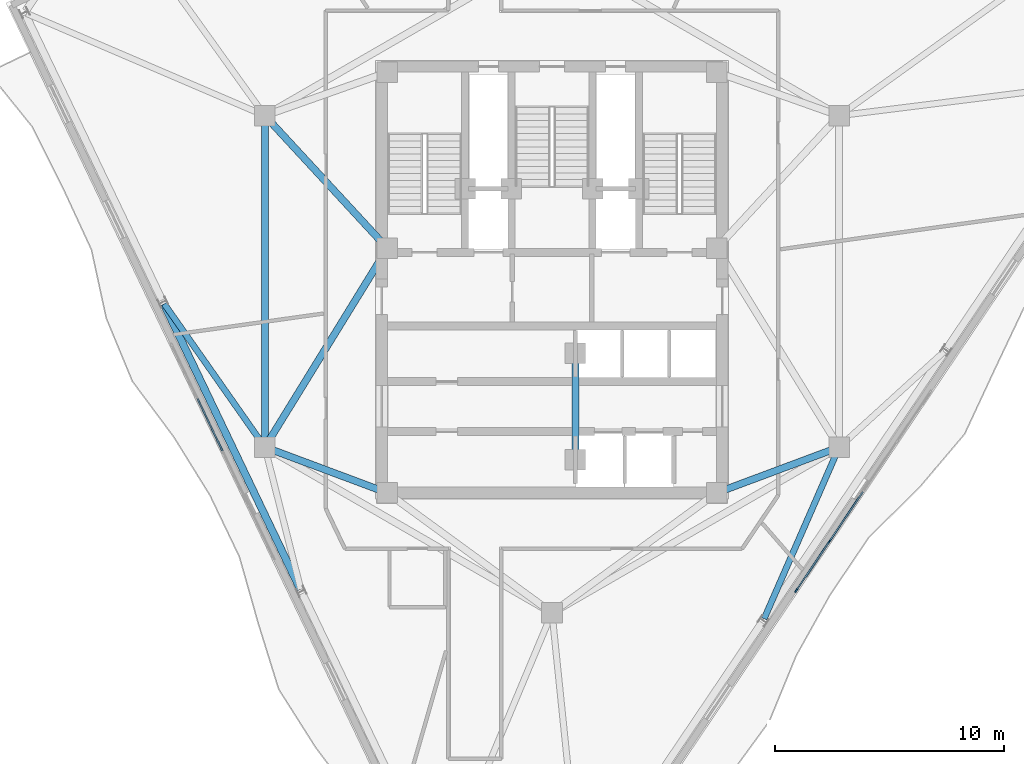
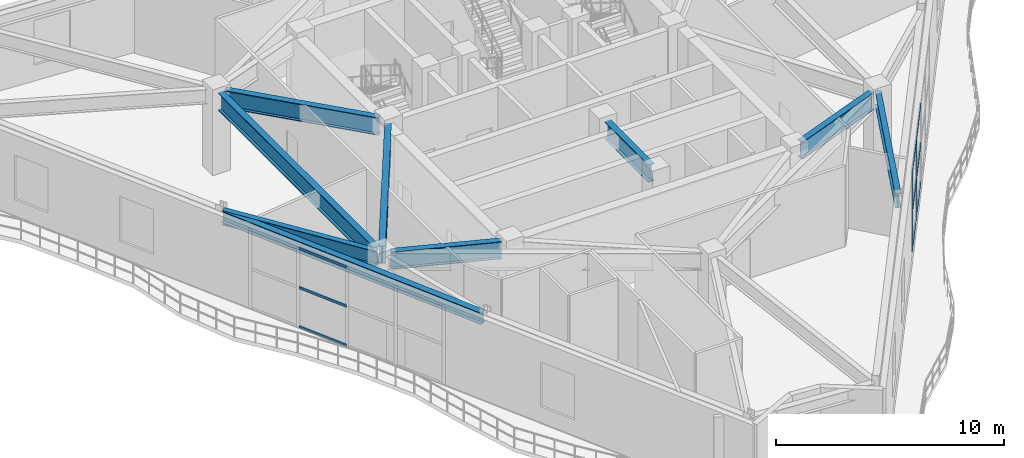
# One storey, part 5 of 15: 11 members, 9 beams, 2 elements without a shape of their own.
"""IFC4 building model written with IfcOpenShell, lengths in metres."""

from ifc_helpers import new_model, si_unit, direction, frame, origin, origin_2d, place, context, subcontext, project, spatial, rectangle, i_section, extrude, material, layer, layer_set, material_profile, profile_set, type_object, element, aggregate, save


model = new_model("IFC4")

# Units and contexts
model_context = context("Model", 3, precision=1e-05, world=origin(), true_north=direction((0.0, 1.0)))
body_context = subcontext(model_context, "Body", "Model", "MODEL_VIEW")
ifc_project = project(units=[si_unit("LENGTHUNIT", "METRE"), si_unit("AREAUNIT", "SQUARE_METRE"), si_unit("VOLUMEUNIT", "CUBIC_METRE"), si_unit("PLANEANGLEUNIT", "RADIAN"), si_unit("MASSUNIT", "GRAM", prefix="KILO")], contexts=[model_context])

# Site, building, storey
site_placement = place(None, origin())
site = spatial("IfcSite", under=ifc_project, at=site_placement, CompositionType="ELEMENT")
building_placement = place(site_placement, origin())
building = spatial("IfcBuilding", under=site, at=building_placement, Name="Apsidion Concourse Tower", CompositionType="ELEMENT")
storey_placement = place(building_placement, frame((0.0, 0.0, 318.800048828125)))
storey = spatial("IfcBuildingStorey", under=building, at=storey_placement, Name="L75", CompositionType="ELEMENT", Elevation=318.800048828125)

# Beams
ifc_material_1 = material(Name="Structural steel ASTM A992 Grade 50", Category="steel")
ifc_material_profile_1 = material_profile(ifc_material_1, i_section(OverallWidth=0.31005859375, OverallDepth=0.931884765625, WebThickness=0.02099609375, FlangeThickness=0.034423828125, at=origin_2d()), Name="W36X210")
ifc_profile_set_1 = profile_set([ifc_material_profile_1], Name="Structural steel ASTM A992 Grade 50")
beam_type_1 = type_object("IfcBeamType", Name="BM-G-W36", PredefinedType="USERDEFINED", material=ifc_profile_set_1)
beam_1_placement = place(storey_placement, frame((-12.185302734375, -7.389892578125, 3.85400390625), z_axis=(0.936913021145, -0.349562570664, 0.0), x_axis=(0.349562570664, 0.936913021145, 0.0)))
element("IfcBeam", 1, at=beam_1_placement, inside=storey, type_object=beam_type_1, Name="L75 Core Coupling Girder IC1-SC1", ObjectType="GIRDER", PredefinedType="USERDEFINED", context=body_context, shape_type="SweptSolid", body=[
    extrude(i_section(OverallWidth=0.31005859375, OverallDepth=0.931884765625, WebThickness=0.02099609375, FlangeThickness=0.034423828125, at=origin_2d()), origin(), (0.0, 0.0, 1.0), 4.921142578125),
])
beam_2_placement = place(storey_placement, frame((-12.35009765625, -6.909423828125, 3.85400390625), z_axis=(0.524524009763, 0.851395656074, 0.0), x_axis=(-0.851395656074, 0.524524009763, 0.0)))
element("IfcBeam", 2, at=beam_2_placement, inside=storey, type_object=beam_type_1, Name="L75 Core Coupling Girder IC1-SC6", ObjectType="GIRDER", PredefinedType="USERDEFINED", context=body_context, shape_type="SweptSolid", body=[
    extrude(i_section(OverallWidth=0.31005859375, OverallDepth=0.931884765625, WebThickness=0.02099609375, FlangeThickness=0.034423828125, at=origin_2d()), origin(), (0.0, 0.0, 1.0), 9.41845703125),
])
beam_3_placement = place(storey_placement, frame((12.185302734375, -7.389892578125, 3.85400390625), z_axis=(-0.936913021145, -0.349562570664, 0.0), x_axis=(0.349562570664, -0.936913021145, 0.0)))
element("IfcBeam", 3, at=beam_3_placement, inside=storey, type_object=beam_type_1, Name="L75 Core Coupling Girder IC2-SC2", ObjectType="GIRDER", PredefinedType="USERDEFINED", context=body_context, shape_type="SweptSolid", body=[
    extrude(i_section(OverallWidth=0.31005859375, OverallDepth=0.931884765625, WebThickness=0.02099609375, FlangeThickness=0.034423828125, at=origin_2d()), origin(), (0.0, 0.0, 1.0), 4.921142578125),
])
beam_4_placement = place(storey_placement, frame((-12.28857421875, 6.956298828125, 3.85400390625), z_axis=(0.678712876106, -0.73440372535, 0.0), x_axis=(0.73440372535, 0.678712876106, 0.0)))
element("IfcBeam", 4, at=beam_4_placement, inside=storey, type_object=beam_type_1, Name="L75 Core Coupling Girder IC5-SC6", ObjectType="GIRDER", PredefinedType="USERDEFINED", context=body_context, shape_type="SweptSolid", body=[
    extrude(i_section(OverallWidth=0.31005859375, OverallDepth=0.931884765625, WebThickness=0.02099609375, FlangeThickness=0.034423828125, at=origin_2d()), origin(), (0.0, 0.0, 1.0), 7.097412109375),
])
beam_5_placement = place(storey_placement, frame((-12.56005859375, -6.85009765625, 3.85400390625), z_axis=(0.0, 1.0, 0.0), x_axis=(-1.0, 0.0, 0.0)))
element("IfcBeam", 5, at=beam_5_placement, inside=storey, type_object=beam_type_1, Name="L75 Core Coupling Girder IC1-IC5", ObjectType="GIRDER", PredefinedType="USERDEFINED", context=body_context, shape_type="SweptSolid", body=[
    extrude(i_section(OverallWidth=0.31005859375, OverallDepth=0.931884765625, WebThickness=0.02099609375, FlangeThickness=0.034423828125, at=origin_2d()), origin(), (0.0, 0.0, 1.0), 13.7001953125),
])
beam_6_placement = place(storey_placement, frame((1.02490234375, -3.550048828125, 3.85400390625), z_axis=(0.0, -1.0, 0.0), x_axis=(1.0, 0.0, 0.0)))
element("IfcBeam", 6, at=beam_6_placement, inside=storey, type_object=beam_type_1, Name="L75 Core Coupling Girder CC5-CC6", ObjectType="GIRDER", PredefinedType="USERDEFINED", context=body_context, shape_type="SweptSolid", body=[
    extrude(i_section(OverallWidth=0.31005859375, OverallDepth=0.931884765625, WebThickness=0.02099609375, FlangeThickness=0.034423828125, at=origin_2d()), origin(), (0.0, 0.0, 1.0), 3.849853515625),
])
ifc_material_profile_2 = material_profile(ifc_material_1, i_section(OverallWidth=0.324951171875, OverallDepth=0.616943359375, WebThickness=0.013916015625, FlangeThickness=0.021484375, at=origin_2d()), Name="W24X117")
ifc_profile_set_2 = profile_set([ifc_material_profile_2], Name="Structural steel ASTM A992 Grade 50")
beam_type_2 = type_object("IfcBeamType", Name="BM-SP-W24", PredefinedType="SPANDREL", material=ifc_profile_set_2)
beam_7_placement = place(storey_placement, frame((-16.976318359375, -0.993408203125, 4.011474609375), z_axis=(0.43136744944, -0.902176326204, 0.0), x_axis=(0.902176326204, 0.43136744944, 0.0)))
element("IfcBeam", 7, at=beam_7_placement, inside=storey, type_object=beam_type_2, Name="L75 Perimeter Spandrel Girder SP-02", PredefinedType="SPANDREL", context=body_context, shape_type="SweptSolid", body=[
    extrude(i_section(OverallWidth=0.324951171875, OverallDepth=0.616943359375, WebThickness=0.013916015625, FlangeThickness=0.021484375, at=origin_2d()), origin(), (0.0, 0.0, 1.0), 13.83447265625),
])
ifc_material_profile_3 = material_profile(ifc_material_1, i_section(OverallWidth=0.26806640625, OverallDepth=0.77001953125, WebThickness=0.015625, FlangeThickness=0.025390625, at=origin_2d()), Name="W30X132")
ifc_profile_set_3 = profile_set([ifc_material_profile_3], Name="Structural steel ASTM A992 Grade 50")
beam_type_3 = type_object("IfcBeamType", Name="BM-SP-W30", PredefinedType="SPANDREL", material=ifc_profile_set_3)
beam_8_placement = place(storey_placement, frame((-12.6865234375, -7.070068359375, 3.93505859375), z_axis=(-0.574897998258, 0.818225086146, 0.0), x_axis=(-0.818225086146, -0.574897998258, 0.0)))
element("IfcBeam", 8, at=beam_8_placement, inside=storey, type_object=beam_type_3, Name="L75 Radial Floor Girder RAD-02", PredefinedType="SPANDREL", context=body_context, shape_type="SweptSolid", body=[
    extrude(i_section(OverallWidth=0.26806640625, OverallDepth=0.77001953125, WebThickness=0.015625, FlangeThickness=0.025390625, at=origin_2d()), origin(), (0.0, 0.0, 1.0), 7.436767578125),
])
beam_9_placement = place(storey_placement, frame((12.4716796875, -7.45166015625, 3.93505859375), z_axis=(-0.400675776745, -0.916219909154, 0.0), x_axis=(0.916219909154, -0.400675776745, 0.0)))
element("IfcBeam", 9, at=beam_9_placement, inside=storey, type_object=beam_type_3, Name="L75 Radial Floor Girder RAD-06", PredefinedType="SPANDREL", context=body_context, shape_type="SweptSolid", body=[
    extrude(i_section(OverallWidth=0.26806640625, OverallDepth=0.77001953125, WebThickness=0.015625, FlangeThickness=0.025390625, at=origin_2d()), origin(), (0.0, 0.0, 1.0), 7.968017578125),
])

# Curtain wall, members
ifc_material_2 = material(Name="Insulated laminated low-E glass", Category="glass")
ifc_layer = layer(ifc_material_2, 0.22998046875)
ifc_layer_set = layer_set([ifc_layer], Name="Insulated laminated low-E glass")
curtain_wall_type = type_object("IfcCurtainWallType", Name="CW-SYS-05", PredefinedType="NOTDEFINED", material=ifc_layer_set)
curtain_wall_1_placement = place(storey_placement, origin())
curtain_wall_1 = element("IfcCurtainWall", 10, at=curtain_wall_1_placement, inside=storey, type_object=curtain_wall_type, Name="L75 Sky Observatory Curtain Wall 5", PredefinedType="NOTDEFINED")
ifc_material_3 = material(Name="Anodised aluminium EN AW-6063 T6", Category="aluminium")
ifc_material_profile_4 = material_profile(ifc_material_3, rectangle(XDim=0.06494140625, YDim=0.179931640625, at=origin_2d()), Name="ALU MULLION 65x180")
ifc_profile_set_4 = profile_set([ifc_material_profile_4], Name="Anodised aluminium EN AW-6063 T6")
member_type_1 = type_object("IfcMemberType", Name="CWM-65X180", PredefinedType="MULLION", material=ifc_profile_set_4)
member_1_placement = place(storey_placement, frame((12.139404296875, -11.366455078125, 0.0), z_axis=(0.0, 0.0, 1.0), x_axis=(0.829036939888, -0.559193841437, 0.0)))
member_1 = element("IfcMember", 11, at=member_1_placement, type_object=member_type_1, Name="CW-05 mullion 4", PredefinedType="MULLION", context=body_context, shape_type="SweptSolid", body=[
    extrude(rectangle(XDim=0.06494140625, YDim=0.179931640625, at=origin_2d()), origin(), (0.0, 0.0, 1.0), 4.27001953125),
])
member_2_placement = place(storey_placement, frame((10.68408203125, -13.52392578125, 0.0), z_axis=(0.0, 0.0, 1.0), x_axis=(0.829036939888, -0.559193841437, 0.0)))
member_2 = element("IfcMember", 12, at=member_2_placement, type_object=member_type_1, Name="CW-05 mullion 5", PredefinedType="MULLION", context=body_context, shape_type="SweptSolid", body=[
    extrude(rectangle(XDim=0.06494140625, YDim=0.179931640625, at=origin_2d()), origin(), (0.0, 0.0, 1.0), 4.27001953125),
])
ifc_material_profile_5 = material_profile(ifc_material_3, rectangle(XDim=0.06494140625, YDim=0.139892578125, at=origin_2d()), Name="ALU TRANSOM 65x140")
ifc_profile_set_5 = profile_set([ifc_material_profile_5], Name="Anodised aluminium EN AW-6063 T6")
member_type_2 = type_object("IfcMemberType", Name="CWT-65X140", PredefinedType="USERDEFINED", material=ifc_profile_set_5)
member_3_placement = place(storey_placement, frame((13.5947265625, -9.208984375, 0.032470703125), z_axis=(-0.559273780353, -0.828983014669, 0.0), x_axis=(0.828983014669, -0.559273780353, 0.0)))
member_3 = element("IfcMember", 13, at=member_3_placement, type_object=member_type_2, Name="CW-05 transom 3.1", ObjectType="TRANSOM", PredefinedType="USERDEFINED", context=body_context, shape_type="SweptSolid", body=[
    extrude(rectangle(XDim=0.06494140625, YDim=0.139892578125, at=origin_2d()), origin(), (0.0, 0.0, 1.0), 2.56982421875),
])
member_4_placement = place(storey_placement, frame((13.5947265625, -9.208984375, 2.135009765625), z_axis=(-0.559273780353, -0.828983014669, 0.0), x_axis=(0.828983014669, -0.559273780353, 0.0)))
member_4 = element("IfcMember", 14, at=member_4_placement, type_object=member_type_2, Name="CW-05 transom 3.2", ObjectType="TRANSOM", PredefinedType="USERDEFINED", context=body_context, shape_type="SweptSolid", body=[
    extrude(rectangle(XDim=0.06494140625, YDim=0.139892578125, at=origin_2d()), origin(), (0.0, 0.0, 1.0), 2.56982421875),
])
member_5_placement = place(storey_placement, frame((13.5947265625, -9.208984375, 4.237548828125), z_axis=(-0.559273780353, -0.828983014669, 0.0), x_axis=(0.828983014669, -0.559273780353, 0.0)))
member_5 = element("IfcMember", 15, at=member_5_placement, type_object=member_type_2, Name="CW-05 transom 3.3", ObjectType="TRANSOM", PredefinedType="USERDEFINED", context=body_context, shape_type="SweptSolid", body=[
    extrude(rectangle(XDim=0.06494140625, YDim=0.139892578125, at=origin_2d()), origin(), (0.0, 0.0, 1.0), 2.56982421875),
])
member_6_placement = place(storey_placement, frame((12.121337890625, -11.393310546875, 0.032470703125), z_axis=(-0.559221645029, -0.829018185404, 0.0), x_axis=(0.829018185404, -0.559221645029, 0.0)))
member_6 = element("IfcMember", 16, at=member_6_placement, type_object=member_type_2, Name="CW-05 transom 4.1", ObjectType="TRANSOM", PredefinedType="USERDEFINED", context=body_context, shape_type="SweptSolid", body=[
    extrude(rectangle(XDim=0.06494140625, YDim=0.139892578125, at=origin_2d()), origin(), (0.0, 0.0, 1.0), 2.537353515625),
])
member_7_placement = place(storey_placement, frame((12.121337890625, -11.393310546875, 2.135009765625), z_axis=(-0.559221645029, -0.829018185404, 0.0), x_axis=(0.829018185404, -0.559221645029, 0.0)))
member_7 = element("IfcMember", 17, at=member_7_placement, type_object=member_type_2, Name="CW-05 transom 4.2", ObjectType="TRANSOM", PredefinedType="USERDEFINED", context=body_context, shape_type="SweptSolid", body=[
    extrude(rectangle(XDim=0.06494140625, YDim=0.139892578125, at=origin_2d()), origin(), (0.0, 0.0, 1.0), 2.537353515625),
])
member_8_placement = place(storey_placement, frame((12.121337890625, -11.393310546875, 4.237548828125), z_axis=(-0.559221645029, -0.829018185404, 0.0), x_axis=(0.829018185404, -0.559221645029, 0.0)))
member_8 = element("IfcMember", 18, at=member_8_placement, type_object=member_type_2, Name="CW-05 transom 4.3", ObjectType="TRANSOM", PredefinedType="USERDEFINED", context=body_context, shape_type="SweptSolid", body=[
    extrude(rectangle(XDim=0.06494140625, YDim=0.139892578125, at=origin_2d()), origin(), (0.0, 0.0, 1.0), 2.537353515625),
])
aggregate(curtain_wall_1, [member_1, member_2, member_3, member_4, member_5, member_6, member_7, member_8])

curtain_wall_2_placement = place(storey_placement, origin())
curtain_wall_2 = element("IfcCurtainWall", 19, at=curtain_wall_2_placement, inside=storey, type_object=curtain_wall_type, Name="L75 Sky Observatory Curtain Wall 9", PredefinedType="NOTDEFINED")
member_9_placement = place(storey_placement, frame((-14.419677734375, -7.406982421875, 0.032470703125), z_axis=(-0.431602568817, 0.902063868354, 0.0), x_axis=(-0.902063868354, -0.431602568817, 0.0)))
member_9 = element("IfcMember", 20, at=member_9_placement, type_object=member_type_2, Name="CW-05 transom 3.1", ObjectType="TRANSOM", PredefinedType="USERDEFINED", context=body_context, shape_type="SweptSolid", body=[
    extrude(rectangle(XDim=0.06494140625, YDim=0.139892578125, at=origin_2d()), origin(), (0.0, 0.0, 1.0), 2.525634765625),
])
member_10_placement = place(storey_placement, frame((-14.419677734375, -7.406982421875, 2.135009765625), z_axis=(-0.431602568817, 0.902063868354, 0.0), x_axis=(-0.902063868354, -0.431602568817, 0.0)))
member_10 = element("IfcMember", 21, at=member_10_placement, type_object=member_type_2, Name="CW-05 transom 3.2", ObjectType="TRANSOM", PredefinedType="USERDEFINED", context=body_context, shape_type="SweptSolid", body=[
    extrude(rectangle(XDim=0.06494140625, YDim=0.139892578125, at=origin_2d()), origin(), (0.0, 0.0, 1.0), 2.525634765625),
])
member_11_placement = place(storey_placement, frame((-14.419677734375, -7.406982421875, 4.237548828125), z_axis=(-0.431602568817, 0.902063868354, 0.0), x_axis=(-0.902063868354, -0.431602568817, 0.0)))
member_11 = element("IfcMember", 22, at=member_11_placement, type_object=member_type_2, Name="CW-05 transom 3.3", ObjectType="TRANSOM", PredefinedType="USERDEFINED", context=body_context, shape_type="SweptSolid", body=[
    extrude(rectangle(XDim=0.06494140625, YDim=0.139892578125, at=origin_2d()), origin(), (0.0, 0.0, 1.0), 2.525634765625),
])
aggregate(curtain_wall_2, [member_9, member_10, member_11])

save(model, "model.ifc")
